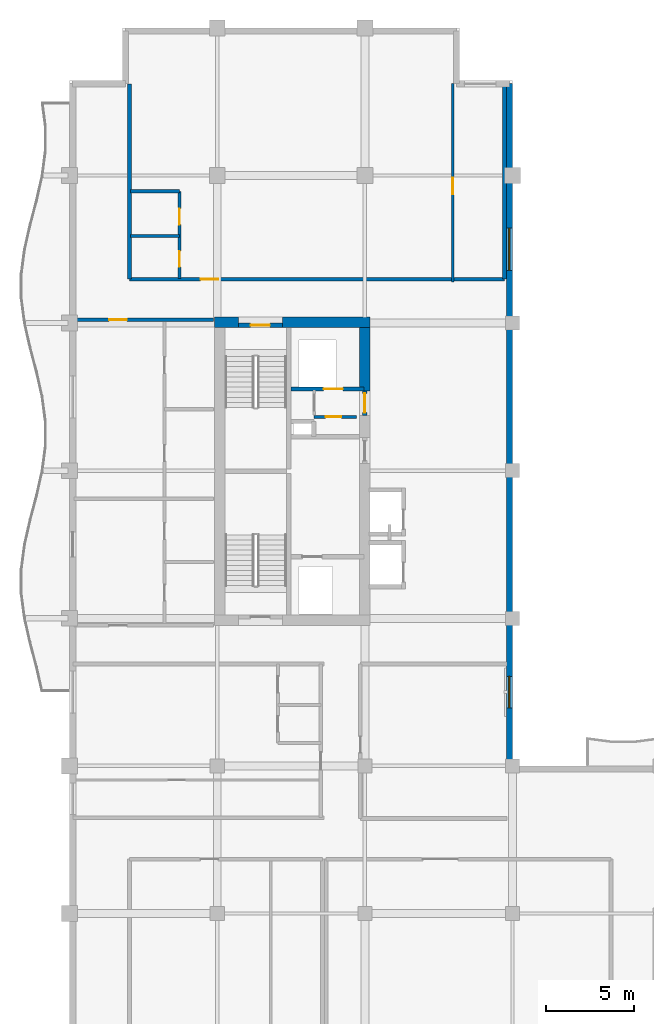
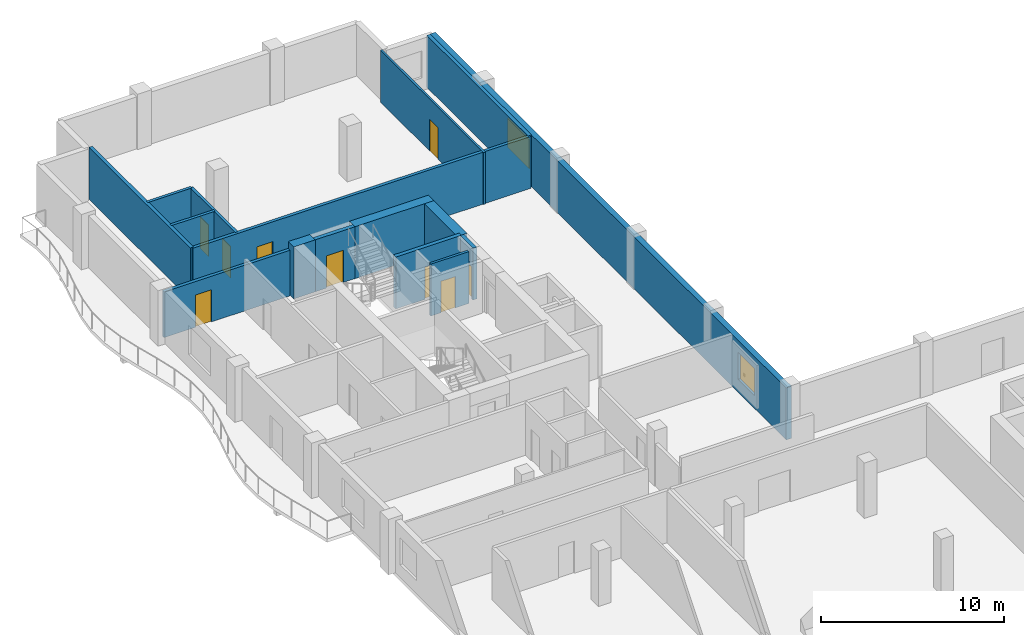
# One storey, part 7 of 12: 16 walls, 9 doors, 2 windows, 11 openings.
"""IFC4 building model written with IfcOpenShell, lengths in metres."""

from ifc_helpers import new_model, si_unit, direction, frame, frame_2d, origin, place, context, subcontext, project, spatial, rectangle, extrude, material, layer, layer_set, type_object, element, fill, save


model = new_model("IFC4")

# Units and contexts
model_context = context("Model", 3, precision=1e-05, world=origin(), true_north=direction((0.0, 1.0)))
body_context = subcontext(model_context, "Body", "Model", "MODEL_VIEW")
ifc_project = project(units=[si_unit("LENGTHUNIT", "METRE"), si_unit("AREAUNIT", "SQUARE_METRE"), si_unit("VOLUMEUNIT", "CUBIC_METRE"), si_unit("PLANEANGLEUNIT", "RADIAN"), si_unit("MASSUNIT", "GRAM", prefix="KILO")], contexts=[model_context])

# Site, building, storey
site_placement = place(None, origin())
site = spatial("IfcSite", under=ifc_project, at=site_placement, CompositionType="ELEMENT")
building_placement = place(site_placement, origin())
building = spatial("IfcBuilding", under=site, at=building_placement, Name="Koriwani Terraces Tower", CompositionType="ELEMENT")
storey_placement = place(building_placement, frame((0.0, 0.0, 271.199951171875)))
storey = spatial("IfcBuildingStorey", under=building, at=storey_placement, Name="L67", CompositionType="ELEMENT", Elevation=271.199951171875)

# Walls
ifc_material_1 = material(Name="Concrete C60/75", Category="concrete")
ifc_layer_1 = layer(ifc_material_1, 0.60009765625, Name="Concrete C60/75")
ifc_layer_set_1 = layer_set([ifc_layer_1], Name="Concrete C60/75")
wall_type_1 = type_object("IfcWallType", Name="WALL_CORE_RC_600", PredefinedType="SHEAR", material=ifc_layer_set_1)
wall_1_placement = place(storey_placement, frame((16.64990234375, 58.85009765625, 0.0), z_axis=(0.0, 0.0, 1.0), x_axis=(1.0, 0.0, 0.0)))
element("IfcWall", 1, at=wall_1_placement, inside=storey, type_object=wall_type_1, Name="L67 West Split Core Shear Wall N1", PredefinedType="SHEAR", context=body_context, shape_type="SweptSolid", body=[
    extrude(rectangle(XDim=1.35009765625, YDim=0.60009765625, at=frame_2d((0.675048828125, 0.0))), origin(), (0.0, 0.0, 1.0), 3.469970703125),
])
wall_2_placement = place(storey_placement, frame((20.5, 58.85009765625, 0.0), z_axis=(0.0, 0.0, 1.0), x_axis=(1.0, 0.0, 0.0)))
element("IfcWall", 2, at=wall_2_placement, inside=storey, type_object=wall_type_1, Name="L67 West Split Core Shear Wall N2", PredefinedType="SHEAR", context=body_context, shape_type="SweptSolid", body=[
    extrude(rectangle(XDim=5.0, YDim=0.60009765625, at=frame_2d((2.5, 0.0))), origin(), (0.0, 0.0, 1.0), 3.469970703125),
])
wall_3_placement = place(storey_placement, frame((25.199951171875, 54.949951171875, 0.0), z_axis=(0.0, 0.0, 1.0), x_axis=(0.0, 1.0, 0.0)))
element("IfcWall", 3, at=wall_3_placement, inside=storey, type_object=wall_type_1, Name="L67 West Split Core Shear Wall E3", PredefinedType="SHEAR", context=body_context, shape_type="SweptSolid", body=[
    extrude(rectangle(XDim=3.60009765625, YDim=0.60009765625, at=frame_2d((1.800048828125, 0.0))), origin(), (0.0, 0.0, 1.0), 3.469970703125),
])

# Wall, opening, door
ifc_material_2 = material(Name="Autoclaved Cellular Concrete Blockwork", Category="masonry")
ifc_layer_2 = layer(ifc_material_2, 0.199951171875, Name="Autoclaved Cellular Concrete Blockwork")
ifc_layer_set_2 = layer_set([ifc_layer_2], Name="Autoclaved Cellular Concrete Blockwork")
wall_type_2 = type_object("IfcWallType", Name="WALL_CORRIDOR_200", PredefinedType="PARTITIONING", material=ifc_layer_set_2)
wall_4_placement = place(storey_placement, frame((8.64990234375, 59.0, 0.0), z_axis=(0.0, 0.0, 1.0), x_axis=(1.0, 0.0, 0.0)))
wall_4 = element("IfcWall", 4, at=wall_4_placement, inside=storey, type_object=wall_type_2, Name="L67 Interior Wall WRZ4-WN-L67", PredefinedType="PARTITIONING", context=body_context, shape_type="SweptSolid", body=[
    extrude(rectangle(XDim=7.9501953125, YDim=0.199951171875, at=frame_2d((3.97509765625, 0.0))), origin(), (0.0, 0.0, 1.0), 3.052978515625),
])
opening_1_placement = place(wall_4_placement, frame((2.0, 0.0, 0.0)))
opening_1 = element("IfcOpeningElement", 5, at=opening_1_placement, cuts=wall_4, Name="Opening D-05", PredefinedType="OPENING", context=body_context, shape_type="SweptSolid", body=[
    extrude(rectangle(XDim=1.0, YDim=2.14990234375, at=frame_2d((0.5, 1.074951171875))), frame((0.0, 0.10986328125, 0.0), z_axis=(0.0, -1.0, 0.0), x_axis=(1.0, 0.0, 0.0)), (0.0, 0.0, 1.0), 0.219970703125),
])
ifc_material_3 = material(Name="Architectural Oak Fire Door", Category="wood")
door_type_1 = type_object("IfcDoorType", Name="DOOR_SUITE_ENTRY_1000X2150", OperationType="NOTDEFINED", PredefinedType="DOOR", material=ifc_material_3)
door_1_placement = place(opening_1_placement, origin())
door_1 = element("IfcDoor", 6, at=door_1_placement, inside=storey, type_object=door_type_1, Name="Apartment 67RW2 Entrance Door", OperationType="SINGLE_SWING_LEFT", OverallHeight=2.14990234375, OverallWidth=1.0, PredefinedType="DOOR", context=body_context, shape_type="SweptSolid", body=[
    extrude(rectangle(XDim=1.0, YDim=2.14990234375, at=frame_2d((0.5, 1.074951171875))), frame((0.0, 0.02490234375, 0.0), z_axis=(0.0, -1.0, 0.0), x_axis=(1.0, 0.0, 0.0)), (0.0, 0.0, 1.0), 0.050048828125),
])
fill(opening_1, door_1)

wall_5_placement = place(storey_placement, frame((11.800048828125, 61.300048828125, 0.0), z_axis=(0.0, 0.0, 1.0), x_axis=(1.0, 0.0, 0.0)))
wall_5 = element("IfcWall", 7, at=wall_5_placement, inside=storey, type_object=wall_type_2, Name="L67 Interior Wall WGB-L67-NT-S", PredefinedType="PARTITIONING", context=body_context, shape_type="SweptSolid", body=[
    extrude(rectangle(XDim=21.349853515625, YDim=0.199951171875, at=frame_2d((10.6748046875, 0.0))), origin(), (0.0, 0.0, 1.0), 3.469970703125),
])
opening_2_placement = place(wall_5_placement, frame((4.050048828125, 0.0, 0.0)))
opening_2 = element("IfcOpeningElement", 8, at=opening_2_placement, cuts=wall_5, Name="Opening D-05", PredefinedType="OPENING", context=body_context, shape_type="SweptSolid", body=[
    extrude(rectangle(XDim=1.0, YDim=2.14990234375, at=frame_2d((0.5, 1.074951171875))), frame((0.0, 0.10986328125, 0.0), z_axis=(0.0, -1.0, 0.0), x_axis=(1.0, 0.0, 0.0)), (0.0, 0.0, 1.0), 0.219970703125),
])
door_2_placement = place(opening_2_placement, origin())
door_2 = element("IfcDoor", 9, at=door_2_placement, inside=storey, type_object=door_type_1, Name="Apartment 67NT Entrance Door", OperationType="SINGLE_SWING_LEFT", OverallHeight=2.14990234375, OverallWidth=1.0, PredefinedType="DOOR", context=body_context, shape_type="SweptSolid", body=[
    extrude(rectangle(XDim=1.0, YDim=2.14990234375, at=frame_2d((0.5, 1.074951171875))), frame((0.0, 0.02490234375, 0.0), z_axis=(0.0, -1.0, 0.0), x_axis=(1.0, 0.0, 0.0)), (0.0, 0.0, 1.0), 0.050048828125),
])
fill(opening_2, door_2)

# Walls
ifc_layer_3 = layer(ifc_material_2, 0.219970703125, Name="Autoclaved Cellular Concrete Blockwork")
ifc_layer_set_3 = layer_set([ifc_layer_3], Name="Autoclaved Cellular Concrete Blockwork")
wall_type_3 = type_object("IfcWallType", Name="WALL_DEMISING_220", PredefinedType="PARTITIONING", material=ifc_layer_set_3)
for number, where, z_axis, x_axis, name in (
    (10, (33.14990234375, 61.300048828125, 0.0), (0.0, 0.0, 1.0), (0.0, 1.0, 0.0), "L67 Interior Wall WGB-L67-NT-E"),
    (11, (11.800048828125, 61.300048828125, 0.0), (0.0, 0.0, 1.0), (0.0, 1.0, 0.0), "L67 Interior Wall WGB-L67-NT-W"),
):
    element("IfcWall", number, at=place(storey_placement, frame(where, z_axis=z_axis, x_axis=x_axis)), inside=storey, type_object=wall_type_3, Name=name, PredefinedType="PARTITIONING", context=body_context, shape_type="SweptSolid", body=[
        extrude(rectangle(XDim=11.099853515625, YDim=0.219970703125, at=frame_2d((5.5498046875, 0.0))), origin(), (0.0, 0.0, 1.0), 3.469970703125),
    ])

# Wall, openings, windows
ifc_material_4 = material(Name="Concrete C50/60", Category="concrete")
ifc_layer_4 = layer(ifc_material_4, 0.35009765625, Name="Concrete C50/60")
ifc_layer_set_4 = layer_set([ifc_layer_4], Name="Concrete C50/60")
wall_type_4 = type_object("IfcWallType", Name="WALL_EXT_BRUTALIST_350", PredefinedType="STANDARD", material=ifc_layer_set_4)
wall_6_placement = place(storey_placement, frame((33.425048828125, 72.425048828125, 0.0), z_axis=(0.0, 0.0, 1.0), x_axis=(0.0, -1.0, 0.0)))
wall_6 = element("IfcWall", 12, at=wall_6_placement, inside=storey, type_object=wall_type_4, Name="L67 Fair-Faced Brutalist Exterior Wall (NW_IN)", PredefinedType="STANDARD", context=body_context, shape_type="SweptSolid", body=[
    extrude(rectangle(XDim=39.0, YDim=0.35009765625, at=frame_2d((19.5, 0.0))), origin(), (0.0, 0.0, 1.0), 3.469970703125),
])
opening_3_placement = place(wall_6_placement, frame((33.72509765625, 0.0, 0.85009765625)))
opening_3 = element("IfcOpeningElement", 13, at=opening_3_placement, cuts=wall_6, Name="Opening W-04", PredefinedType="OPENING", context=body_context, shape_type="SweptSolid", body=[
    extrude(rectangle(XDim=1.800048828125, YDim=1.800048828125, at=frame_2d((0.89990234375, 0.89990234375))), frame((0.0, 0.18505859375, 0.0), z_axis=(0.0, -1.0, 0.0), x_axis=(1.0, 0.0, 0.0)), (0.0, 0.0, 1.0), 0.3701171875),
])
opening_4_placement = place(wall_6_placement, frame((8.22509765625, 0.0, 0.85009765625)))
opening_4 = element("IfcOpeningElement", 14, at=opening_4_placement, cuts=wall_6, Name="Opening W-03", PredefinedType="OPENING", context=body_context, shape_type="SweptSolid", body=[
    extrude(rectangle(XDim=2.39990234375, YDim=1.949951171875, at=frame_2d((1.199951171875, 0.97509765625))), frame((0.0, 0.18505859375, 0.0), z_axis=(0.0, -1.0, 0.0), x_axis=(1.0, 0.0, 0.0)), (0.0, 0.0, 1.0), 0.3701171875),
])
ifc_material_5 = material(Name="Tempered Laminated Low-E Glass", Category="glass")
window_type_1 = type_object("IfcWindowType", Name="WIN_RES_BED_1800X1800", PartitioningType="DOUBLE_PANEL_VERTICAL", PredefinedType="WINDOW", material=ifc_material_5)
window_1_placement = place(opening_3_placement, origin())
window_1 = element("IfcWindow", 15, at=window_1_placement, inside=storey, type_object=window_type_1, Name="L67 Exterior Window (NW_IN-2)", OverallHeight=1.800048828125, OverallWidth=1.800048828125, PartitioningType="SINGLE_PANEL", PredefinedType="WINDOW", context=body_context, shape_type="SweptSolid", body=[
    extrude(rectangle(XDim=1.800048828125, YDim=1.800048828125, at=frame_2d((0.89990234375, 0.89990234375))), frame((0.0, 0.030029296875, 0.0), z_axis=(0.0, -1.0, 0.0), x_axis=(1.0, 0.0, 0.0)), (0.0, 0.0, 1.0), 0.06005859375),
])
fill(opening_3, window_1)
window_type_2 = type_object("IfcWindowType", Name="WIN_RES_LIVING_2400X1950", PartitioningType="DOUBLE_PANEL_VERTICAL", PredefinedType="WINDOW", material=ifc_material_5)
window_2_placement = place(opening_4_placement, origin())
window_2 = element("IfcWindow", 16, at=window_2_placement, inside=storey, type_object=window_type_2, Name="L67 Exterior Window (NW_IN-11)", OverallHeight=1.949951171875, OverallWidth=2.39990234375, PartitioningType="SINGLE_PANEL", PredefinedType="WINDOW", context=body_context, shape_type="SweptSolid", body=[
    extrude(rectangle(XDim=2.39990234375, YDim=1.949951171875, at=frame_2d((1.199951171875, 0.97509765625))), frame((0.0, 0.030029296875, 0.0), z_axis=(0.0, -1.0, 0.0), x_axis=(1.0, 0.0, 0.0)), (0.0, 0.0, 1.0), 0.06005859375),
])
fill(opening_4, window_2)

# Wall, opening, door
ifc_material_6 = material(Name="Fire-Rated Acoustic Gypsum Partition", Category="masonry")
ifc_layer_5 = layer(ifc_material_6, 0.125, Name="Fire-Rated Acoustic Gypsum Partition")
ifc_layer_set_5 = layer_set([ifc_layer_5], Name="Fire-Rated Acoustic Gypsum Partition")
wall_type_5 = type_object("IfcWallType", Name="WALL_INT_125", PredefinedType="PARTITIONING", material=ifc_layer_set_5)
wall_7_placement = place(storey_placement, frame((30.199951171875, 61.14990234375, 0.0), z_axis=(0.0, 0.0, 1.0), x_axis=(0.0, 1.0, 0.0)))
wall_7 = element("IfcWall", 17, at=wall_7_placement, inside=storey, type_object=wall_type_5, Name="L67 Interior Wall WGB-L67-NT-BD", PredefinedType="PARTITIONING", context=body_context, shape_type="SweptSolid", body=[
    extrude(rectangle(XDim=11.300048828125, YDim=0.125, at=frame_2d((5.64990234375, 0.0))), origin(), (0.0, 0.0, 1.0), 3.469970703125),
])
opening_5_placement = place(wall_7_placement, frame((4.9951171875, 0.0, 0.0)))
opening_5 = element("IfcOpeningElement", 18, at=opening_5_placement, cuts=wall_7, Name="Opening D-06", PredefinedType="OPENING", context=body_context, shape_type="SweptSolid", body=[
    extrude(rectangle(XDim=0.919921875, YDim=2.10009765625, at=frame_2d((0.4599609375, 1.050048828125))), frame((0.0, 0.072509765625, 0.0), z_axis=(0.0, -1.0, 0.0), x_axis=(1.0, 0.0, 0.0)), (0.0, 0.0, 1.0), 0.14501953125),
])
door_type_2 = type_object("IfcDoorType", Name="DOOR_ROOM_INT_920X2100", OperationType="NOTDEFINED", PredefinedType="DOOR", material=ifc_material_3)
door_3_placement = place(opening_5_placement, origin())
door_3 = element("IfcDoor", 19, at=door_3_placement, inside=storey, type_object=door_type_2, Name="Apartment 67NT Master Suite Door", OperationType="SINGLE_SWING_RIGHT", OverallHeight=2.10009765625, OverallWidth=0.919921875, PredefinedType="DOOR", context=body_context, shape_type="SweptSolid", body=[
    extrude(rectangle(XDim=0.919921875, YDim=2.10009765625, at=frame_2d((0.4599609375, 1.050048828125))), frame((0.0, 0.02490234375, 0.0), z_axis=(0.0, -1.0, 0.0), x_axis=(1.0, 0.0, 0.0)), (0.0, 0.0, 1.0), 0.050048828125),
])
fill(opening_5, door_3)

# Wall, openings, doors
ifc_layer_6 = layer(ifc_material_6, 0.179931640625, Name="Fire-Rated Acoustic Gypsum Partition")
ifc_layer_set_6 = layer_set([ifc_layer_6], Name="Fire-Rated Acoustic Gypsum Partition")
wall_type_6 = type_object("IfcWallType", Name="WALL_PLUMBING_180", PredefinedType="PLUMBINGWALL", material=ifc_layer_set_6)
wall_8_placement = place(storey_placement, frame((14.64990234375, 61.35009765625, 0.0), z_axis=(0.0, 0.0, 1.0), x_axis=(0.0, 1.0, 0.0)))
wall_8 = element("IfcWall", 20, at=wall_8_placement, inside=storey, type_object=wall_type_6, Name="L67 Interior Wall WGB-L67-NT-SVB", PredefinedType="PLUMBINGWALL", context=body_context, shape_type="SweptSolid", body=[
    extrude(rectangle(XDim=4.949951171875, YDim=0.179931640625, at=frame_2d((2.47509765625, 0.0))), origin(), (0.0, 0.0, 1.0), 3.469970703125),
])
opening_6_placement = place(wall_8_placement, frame((0.64990234375, 0.0, 0.0)))
opening_6 = element("IfcOpeningElement", 21, at=opening_6_placement, cuts=wall_8, Name="Opening D-07", PredefinedType="OPENING", context=body_context, shape_type="SweptSolid", body=[
    extrude(rectangle(XDim=0.89990234375, YDim=2.10009765625, at=frame_2d((0.449951171875, 1.050048828125))), frame((0.0, 0.10009765625, 0.0), z_axis=(0.0, -1.0, 0.0), x_axis=(1.0, 0.0, 0.0)), (0.0, 0.0, 1.0), 0.199951171875),
])
opening_7_placement = place(wall_8_placement, frame((3.050048828125, 0.0, 0.0)))
opening_7 = element("IfcOpeningElement", 22, at=opening_7_placement, cuts=wall_8, Name="Opening D-06", PredefinedType="OPENING", context=body_context, shape_type="SweptSolid", body=[
    extrude(rectangle(XDim=0.919921875, YDim=2.10009765625, at=frame_2d((0.4599609375, 1.050048828125))), frame((0.0, 0.10009765625, 0.0), z_axis=(0.0, -1.0, 0.0), x_axis=(1.0, 0.0, 0.0)), (0.0, 0.0, 1.0), 0.199951171875),
])
door_type_3 = type_object("IfcDoorType", Name="DOOR_BATH_INT_900X2100", OperationType="NOTDEFINED", PredefinedType="DOOR", material=ifc_material_3)
door_4_placement = place(opening_6_placement, origin())
door_4 = element("IfcDoor", 23, at=door_4_placement, inside=storey, type_object=door_type_3, Name="Apartment 67NT Bathroom Door", OperationType="SINGLE_SWING_RIGHT", OverallHeight=2.10009765625, OverallWidth=0.89990234375, PredefinedType="DOOR", context=body_context, shape_type="SweptSolid", body=[
    extrude(rectangle(XDim=0.89990234375, YDim=2.10009765625, at=frame_2d((0.449951171875, 1.050048828125))), frame((0.0, 0.02490234375, 0.0), z_axis=(0.0, -1.0, 0.0), x_axis=(1.0, 0.0, 0.0)), (0.0, 0.0, 1.0), 0.050048828125),
])
fill(opening_6, door_4)
door_5_placement = place(opening_7_placement, origin())
door_5 = element("IfcDoor", 24, at=door_5_placement, inside=storey, type_object=door_type_2, Name="Apartment 67NT Kitchen Door", OperationType="SINGLE_SWING_LEFT", OverallHeight=2.10009765625, OverallWidth=0.919921875, PredefinedType="DOOR", context=body_context, shape_type="SweptSolid", body=[
    extrude(rectangle(XDim=0.919921875, YDim=2.10009765625, at=frame_2d((0.4599609375, 1.050048828125))), frame((0.0, 0.02490234375, 0.0), z_axis=(0.0, -1.0, 0.0), x_axis=(1.0, 0.0, 0.0)), (0.0, 0.0, 1.0), 0.050048828125),
])
fill(opening_7, door_5)

# Walls
for number, where, z_axis, x_axis, name in (
    (25, (11.85009765625, 63.75, 0.0), (0.0, 0.0, 1.0), (1.0, 0.0, 0.0), "L67 Interior Wall WGB-L67-NT-SVM"),
    (26, (11.85009765625, 66.300048828125, 0.0), (0.0, 0.0, 1.0), (1.0, 0.0, 0.0), "L67 Interior Wall WGB-L67-NT-SV2"),
):
    element("IfcWall", number, at=place(storey_placement, frame(where, z_axis=z_axis, x_axis=x_axis)), inside=storey, type_object=wall_type_6, Name=name, PredefinedType="PLUMBINGWALL", context=body_context, shape_type="SweptSolid", body=[
        extrude(rectangle(XDim=2.7998046875, YDim=0.179931640625, at=frame_2d((1.39990234375, 0.0))), origin(), (0.0, 0.0, 1.0), 3.469970703125),
    ])

# Wall, opening, door
ifc_material_7 = material(Name="Concrete C40/50", Category="concrete")
ifc_layer_7 = layer(ifc_material_7, 0.25, Name="Concrete C40/50")
ifc_layer_set_7 = layer_set([ifc_layer_7], Name="Concrete C40/50")
wall_type_7 = type_object("IfcWallType", Name="WALL_SHAFT_RATED_250", PredefinedType="SOLIDWALL", material=ifc_layer_set_7)
wall_9_placement = place(storey_placement, frame((18.0, 58.675048828125, 0.0), z_axis=(0.0, 0.0, 1.0), x_axis=(1.0, 0.0, 0.0)))
wall_9 = element("IfcWall", 27, at=wall_9_placement, inside=storey, type_object=wall_type_7, Name="L67 Interior Wall WIN-CW-L67-STN", PredefinedType="SOLIDWALL", context=body_context, shape_type="SweptSolid", body=[
    extrude(rectangle(XDim=2.5, YDim=0.25, at=frame_2d((1.25, 0.0))), origin(), (0.0, 0.0, 1.0), 3.469970703125),
])
opening_8_placement = place(wall_9_placement, frame((0.699951171875, 0.0, 0.0)))
opening_8 = element("IfcOpeningElement", 28, at=opening_8_placement, cuts=wall_9, Name="Opening D-03", PredefinedType="OPENING", context=body_context, shape_type="SweptSolid", body=[
    extrude(rectangle(XDim=1.10009765625, YDim=2.14990234375, at=frame_2d((0.550048828125, 1.074951171875))), frame((0.0, 0.135009765625, 0.0), z_axis=(0.0, -1.0, 0.0), x_axis=(1.0, 0.0, 0.0)), (0.0, 0.0, 1.0), 0.27001953125),
])
ifc_material_8 = material(Name="Steel ASTM A572 Grade 50", Category="steel")
door_type_4 = type_object("IfcDoorType", Name="DOOR_STAIR_FIRE_1100X2150", OperationType="NOTDEFINED", PredefinedType="DOOR", material=ifc_material_8)
door_6_placement = place(opening_8_placement, origin())
door_6 = element("IfcDoor", 29, at=door_6_placement, inside=storey, type_object=door_type_4, Name="L67 Exit Stair ST-W2 Door", OperationType="SINGLE_SWING_RIGHT", OverallHeight=2.14990234375, OverallWidth=1.10009765625, PredefinedType="DOOR", context=body_context, shape_type="SweptSolid", body=[
    extrude(rectangle(XDim=1.10009765625, YDim=2.14990234375, at=frame_2d((0.550048828125, 1.074951171875))), frame((0.0, 0.02490234375, 0.0), z_axis=(0.0, -1.0, 0.0), x_axis=(1.0, 0.0, 0.0)), (0.0, 0.0, 1.0), 0.050048828125),
])
fill(opening_8, door_6)

wall_10_placement = place(storey_placement, frame((21.0, 55.050048828125, 0.0), z_axis=(0.0, 0.0, 1.0), x_axis=(1.0, 0.0, 0.0)))
wall_10 = element("IfcWall", 30, at=wall_10_placement, inside=storey, type_object=wall_type_7, Name="L67 Interior Wall WIN-CW-L67-SE", PredefinedType="SOLIDWALL", context=body_context, shape_type="SweptSolid", body=[
    extrude(rectangle(XDim=4.14990234375, YDim=0.25, at=frame_2d((2.074951171875, 0.0))), origin(), (0.0, 0.0, 1.0), 3.469970703125),
])
opening_9_placement = place(wall_10_placement, frame((1.85009765625, 0.0, 0.0)))
opening_9 = element("IfcOpeningElement", 31, at=opening_9_placement, cuts=wall_10, Name="Opening LD-01", PredefinedType="OPENING", context=body_context, shape_type="SweptSolid", body=[
    extrude(rectangle(XDim=1.10009765625, YDim=2.14990234375, at=frame_2d((0.550048828125, 1.074951171875))), frame((0.0, 0.135009765625, 0.0), z_axis=(0.0, -1.0, 0.0), x_axis=(1.0, 0.0, 0.0)), (0.0, 0.0, 1.0), 0.27001953125),
])
door_type_5 = type_object("IfcDoorType", Name="DOOR_LIFT_LANDING_1100X2200", OperationType="NOTDEFINED", PredefinedType="DOOR", material=ifc_material_8)
door_7_placement = place(opening_9_placement, origin())
door_7 = element("IfcDoor", 32, at=door_7_placement, inside=storey, type_object=door_type_5, Name="L67 Goods Lift SE-01 Landing Door", OperationType="SLIDING_TO_LEFT", OverallHeight=2.14990234375, OverallWidth=1.10009765625, PredefinedType="DOOR", context=body_context, shape_type="SweptSolid", body=[
    extrude(rectangle(XDim=1.10009765625, YDim=2.14990234375, at=frame_2d((0.550048828125, 1.074951171875))), frame((0.0, 0.02490234375, 0.0), z_axis=(0.0, -1.0, 0.0), x_axis=(1.0, 0.0, 0.0)), (0.0, 0.0, 1.0), 0.050048828125),
])
fill(opening_9, door_7)

wall_11_placement = place(storey_placement, frame((25.199951171875, 53.550048828125, 0.0), z_axis=(0.0, 0.0, 1.0), x_axis=(0.0, 1.0, 0.0)))
wall_11 = element("IfcWall", 33, at=wall_11_placement, inside=storey, type_object=wall_type_7, Name="L67 Interior Wall WIN-CW-L67-EP2", PredefinedType="SOLIDWALL", context=body_context, shape_type="SweptSolid", body=[
    extrude(rectangle(XDim=1.39990234375, YDim=0.25, at=frame_2d((0.699951171875, 0.0))), origin(), (0.0, 0.0, 1.0), 3.469970703125),
])
opening_10_placement = place(wall_11_placement, frame((0.14990234375, 0.0, 0.0)))
opening_10 = element("IfcOpeningElement", 34, at=opening_10_placement, cuts=wall_11, Name="Opening D-03", PredefinedType="OPENING", context=body_context, shape_type="SweptSolid", body=[
    extrude(rectangle(XDim=1.10009765625, YDim=2.14990234375, at=frame_2d((0.550048828125, 1.074951171875))), frame((0.0, 0.135009765625, 0.0), z_axis=(0.0, -1.0, 0.0), x_axis=(1.0, 0.0, 0.0)), (0.0, 0.0, 1.0), 0.27001953125),
])
door_8_placement = place(opening_10_placement, origin())
door_8 = element("IfcDoor", 35, at=door_8_placement, inside=storey, type_object=door_type_4, Name="L67 West Goods Lift Lobby Door", OperationType="SINGLE_SWING_RIGHT", OverallHeight=2.14990234375, OverallWidth=1.10009765625, PredefinedType="DOOR", context=body_context, shape_type="SweptSolid", body=[
    extrude(rectangle(XDim=1.10009765625, YDim=2.14990234375, at=frame_2d((0.550048828125, 1.074951171875))), frame((0.0, 0.02490234375, 0.0), z_axis=(0.0, -1.0, 0.0), x_axis=(1.0, 0.0, 0.0)), (0.0, 0.0, 1.0), 0.050048828125),
])
fill(opening_10, door_8)

ifc_layer_8 = layer(ifc_material_6, 0.159912109375, Name="Fire-Rated Acoustic Gypsum Partition")
ifc_layer_set_8 = layer_set([ifc_layer_8], Name="Fire-Rated Acoustic Gypsum Partition")
wall_type_8 = type_object("IfcWallType", Name="WALL_SUITE_160", PredefinedType="PARTITIONING", material=ifc_layer_set_8)
wall_12_placement = place(storey_placement, frame((22.320068359375, 53.4599609375, 0.0), z_axis=(0.0, 0.0, 1.0), x_axis=(1.0, 0.0, 0.0)))
wall_12 = element("IfcWall", 36, at=wall_12_placement, inside=storey, type_object=wall_type_8, Name="L67 Interior Wall WIN-CW-L67-SV1B", PredefinedType="PARTITIONING", context=body_context, shape_type="SweptSolid", body=[
    extrude(rectangle(XDim=2.39990234375, YDim=0.159912109375, at=frame_2d((1.199951171875, 0.0))), origin(), (0.0, 0.0, 1.0), 3.469970703125),
])
opening_11_placement = place(wall_12_placement, frame((0.64990234375, 0.0, 0.0)))
opening_11 = element("IfcOpeningElement", 37, at=opening_11_placement, cuts=wall_12, Name="Opening D-07", PredefinedType="OPENING", context=body_context, shape_type="SweptSolid", body=[
    extrude(rectangle(XDim=0.89990234375, YDim=2.10009765625, at=frame_2d((0.449951171875, 1.050048828125))), frame((0.0, 0.08984375, 0.0), z_axis=(0.0, -1.0, 0.0), x_axis=(1.0, 0.0, 0.0)), (0.0, 0.0, 1.0), 0.179931640625),
])
door_9_placement = place(opening_11_placement, origin())
door_9 = element("IfcDoor", 38, at=door_9_placement, inside=storey, type_object=door_type_3, Name="L67 West Cleaners Closet Door", OperationType="SINGLE_SWING_RIGHT", OverallHeight=2.10009765625, OverallWidth=0.89990234375, PredefinedType="DOOR", context=body_context, shape_type="SweptSolid", body=[
    extrude(rectangle(XDim=0.89990234375, YDim=2.10009765625, at=frame_2d((0.449951171875, 1.050048828125))), frame((0.0, 0.02490234375, 0.0), z_axis=(0.0, -1.0, 0.0), x_axis=(1.0, 0.0, 0.0)), (0.0, 0.0, 1.0), 0.050048828125),
])
fill(opening_11, door_9)

save(model, "model.ifc")
